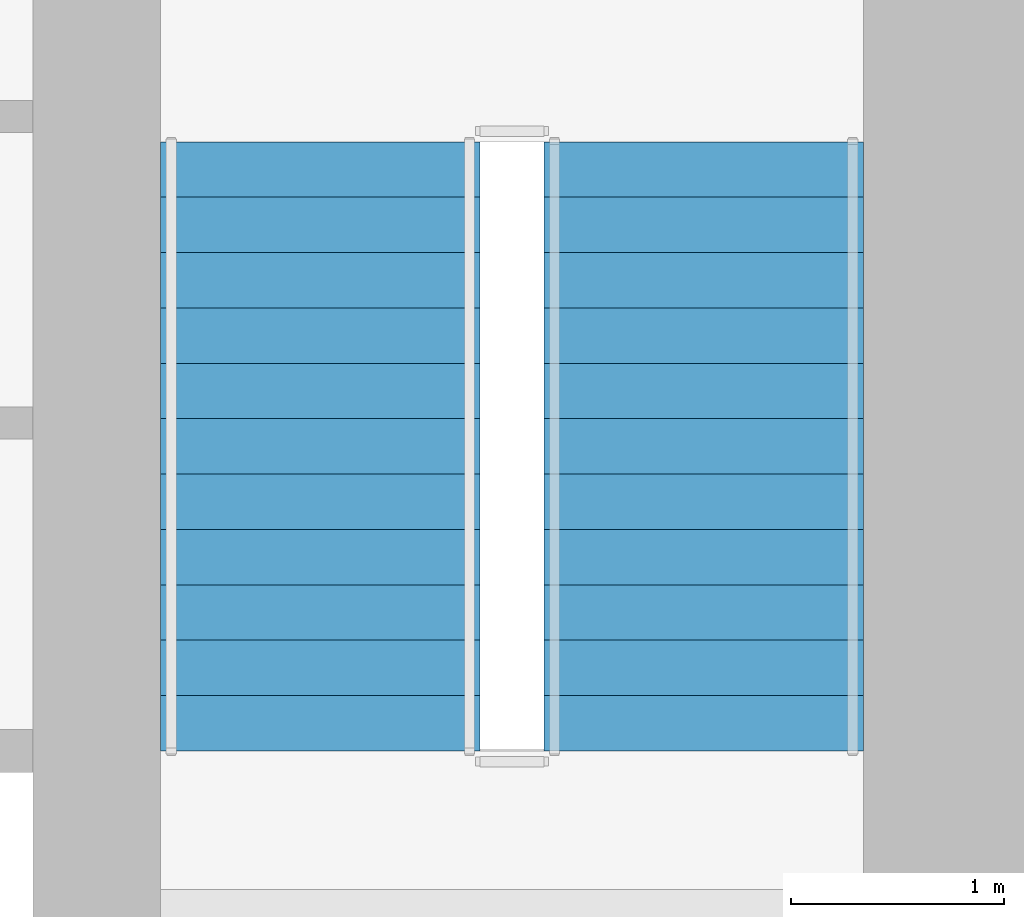
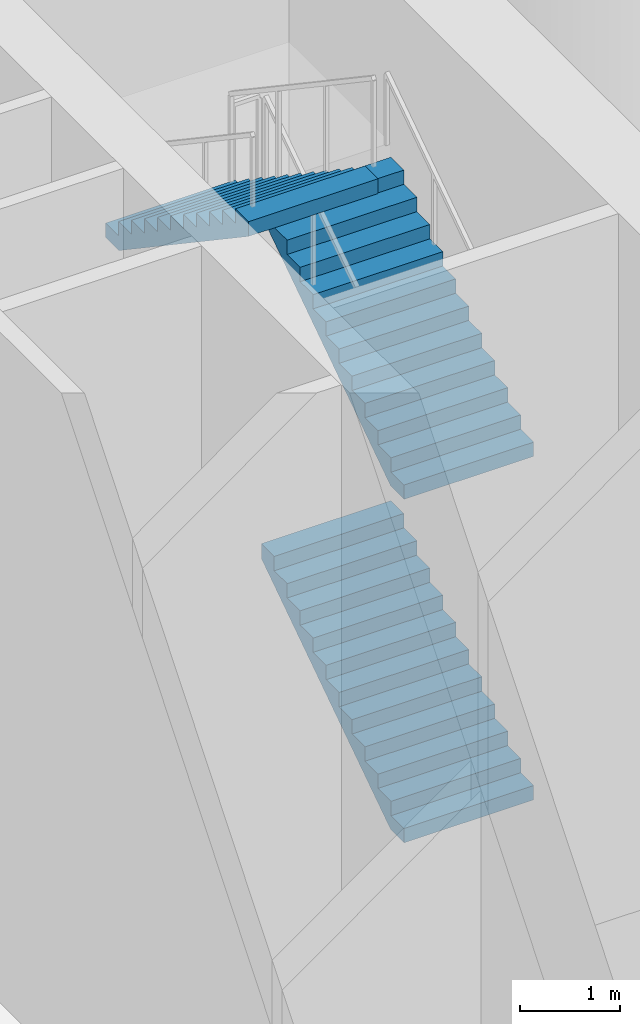
# One storey, part 5 of 13: 3 stair flights, 1 element without a shape of its own.
"""IFC4 building model written with IfcOpenShell, lengths in metres."""

from ifc_helpers import new_model, si_unit, direction, frame, origin, place, context, subcontext, project, spatial, polyline, outline, extrude, material, type_object, element, aggregate, save


model = new_model("IFC4")

# Units and contexts
model_context = context("Model", 3, precision=1e-05, world=origin(), true_north=direction((0.0, 1.0)))
body_context = subcontext(model_context, "Body", "Model", "MODEL_VIEW")
ifc_project = project(units=[si_unit("LENGTHUNIT", "METRE"), si_unit("AREAUNIT", "SQUARE_METRE"), si_unit("VOLUMEUNIT", "CUBIC_METRE"), si_unit("PLANEANGLEUNIT", "RADIAN"), si_unit("MASSUNIT", "GRAM", prefix="KILO")], contexts=[model_context])

# Site, building, storey
site_placement = place(None, origin())
site = spatial("IfcSite", under=ifc_project, at=site_placement, CompositionType="ELEMENT")
building_placement = place(site_placement, origin())
building = spatial("IfcBuilding", under=site, at=building_placement, Name="Rattan Terrace Tower", CompositionType="ELEMENT")
storey_placement = place(building_placement, frame((0.0, 0.0, 199.699951171875)))
storey = spatial("IfcBuildingStorey", under=building, at=storey_placement, Name="L46", CompositionType="ELEMENT", Elevation=199.699951171875)

# Stair, stair flights
ifc_material_1 = material(Name="Concrete C40/50", Category="concrete")
stair_type = type_object("IfcStairType", Name="Core exit stair 1500", PredefinedType="HALF_TURN_STAIR", material=ifc_material_1)
stair_placement = place(storey_placement, origin())
stair = element("IfcStair", 1, at=stair_placement, inside=storey, type_object=stair_type, Name="L46 exit stair 2", PredefinedType="HALF_TURN_STAIR")
ifc_material_2 = material(Name="Concrete C40/50", Category="concrete")
stair_flight_type = type_object("IfcStairFlightType", Name="Core exit stair flight 1500", PredefinedType="STRAIGHT", material=ifc_material_2)
stair_flight_1_placement = place(storey_placement, frame((16.35009765625, 1.699951171875, 0.0), z_axis=(0.0, 0.0, 1.0), x_axis=(0.0, 1.0, 0.0)))
stair_flight_1 = element("IfcStairFlight", 2, at=stair_flight_1_placement, type_object=stair_flight_type, Name="S2 flight 1", NumberOfRisers=12, NumberOfTreads=11, PredefinedType="STRAIGHT", RiserHeight=0.175, TreadLength=0.26, context=body_context, shape_type="SweptSolid", body=[
    extrude(outline(polyline([(0.0, 0.0), (0.0, 0.175048828125), (0.260009765625, 0.175048828125), (0.260009765625, 0.35009765625), (0.52001953125, 0.35009765625), (0.52001953125, 0.52490234375), (0.780029296875, 0.52490234375), (0.780029296875, 0.699951171875), (1.0400390625, 0.699951171875), (1.0400390625, 0.875), (1.300048828125, 0.875), (1.300048828125, 1.050048828125), (1.56005859375, 1.050048828125), (1.56005859375, 1.22509765625), (1.820068359375, 1.22509765625), (1.820068359375, 1.39990234375), (2.080078125, 1.39990234375), (2.080078125, 1.574951171875), (2.340087890625, 1.574951171875), (2.340087890625, 1.75), (2.60009765625, 1.75), (2.60009765625, 1.925048828125), (2.860107421875, 1.925048828125), (2.860107421875, 2.10009765625), (2.860107421875, 1.744384765625), (0.2685546875, 0.0), (0.0, 0.0)])), frame((0.0, 0.75, 0.0), z_axis=(0.0, -1.0, 0.0), x_axis=(1.0, 0.0, 0.0)), (0.0, 0.0, 1.0), 1.5),
])
stair_flight_2_placement = place(storey_placement, frame((16.35009765625, 1.699951171875, 4.199951171875), z_axis=(0.0, 0.0, 1.0), x_axis=(0.0, 1.0, 0.0)))
stair_flight_2 = element("IfcStairFlight", 3, at=stair_flight_2_placement, type_object=stair_flight_type, Name="S2 flight 3", NumberOfRisers=12, NumberOfTreads=11, PredefinedType="STRAIGHT", RiserHeight=0.175, TreadLength=0.26, context=body_context, shape_type="SweptSolid", body=[
    extrude(outline(polyline([(0.0, 0.0), (0.0, 0.175048828125), (0.260009765625, 0.175048828125), (0.260009765625, 0.35009765625), (0.52001953125, 0.35009765625), (0.52001953125, 0.52490234375), (0.780029296875, 0.52490234375), (0.780029296875, 0.699951171875), (1.0400390625, 0.699951171875), (1.0400390625, 0.875), (1.300048828125, 0.875), (1.300048828125, 1.050048828125), (1.56005859375, 1.050048828125), (1.56005859375, 1.22509765625), (1.820068359375, 1.22509765625), (1.820068359375, 1.39990234375), (2.080078125, 1.39990234375), (2.080078125, 1.574951171875), (2.340087890625, 1.574951171875), (2.340087890625, 1.75), (2.60009765625, 1.75), (2.60009765625, 1.925048828125), (2.860107421875, 1.925048828125), (2.860107421875, 2.10009765625), (2.860107421875, 1.744384765625), (0.2685546875, 0.0), (0.0, 0.0)])), frame((0.0, 0.75, 0.0), z_axis=(0.0, -1.0, 0.0), x_axis=(1.0, 0.0, 0.0)), (0.0, 0.0, 1.0), 1.5),
])
stair_flight_3_placement = place(storey_placement, frame((14.550048828125, 4.56005859375, 6.300048828125), z_axis=(0.0, 0.0, 1.0), x_axis=(0.0, -1.0, 0.0)))
stair_flight_3 = element("IfcStairFlight", 4, at=stair_flight_3_placement, type_object=stair_flight_type, Name="S2 flight 4", NumberOfRisers=12, NumberOfTreads=11, PredefinedType="STRAIGHT", RiserHeight=0.175, TreadLength=0.26, context=body_context, shape_type="SweptSolid", body=[
    extrude(outline(polyline([(0.0, 0.0), (0.0, 0.175048828125), (0.260009765625, 0.175048828125), (0.260009765625, 0.35009765625), (0.52001953125, 0.35009765625), (0.52001953125, 0.52490234375), (0.780029296875, 0.52490234375), (0.780029296875, 0.699951171875), (1.0400390625, 0.699951171875), (1.0400390625, 0.875), (1.300048828125, 0.875), (1.300048828125, 1.050048828125), (1.56005859375, 1.050048828125), (1.56005859375, 1.22509765625), (1.820068359375, 1.22509765625), (1.820068359375, 1.39990234375), (2.080078125, 1.39990234375), (2.080078125, 1.574951171875), (2.340087890625, 1.574951171875), (2.340087890625, 1.75), (2.60009765625, 1.75), (2.60009765625, 1.925048828125), (2.860107421875, 1.925048828125), (2.860107421875, 2.10009765625), (2.860107421875, 1.744384765625), (0.2685546875, 0.0), (0.0, 0.0)])), frame((0.0, 0.75, 0.0), z_axis=(0.0, -1.0, 0.0), x_axis=(1.0, 0.0, 0.0)), (0.0, 0.0, 1.0), 1.5),
])
aggregate(stair, [stair_flight_1, stair_flight_2, stair_flight_3])

save(model, "model.ifc")
